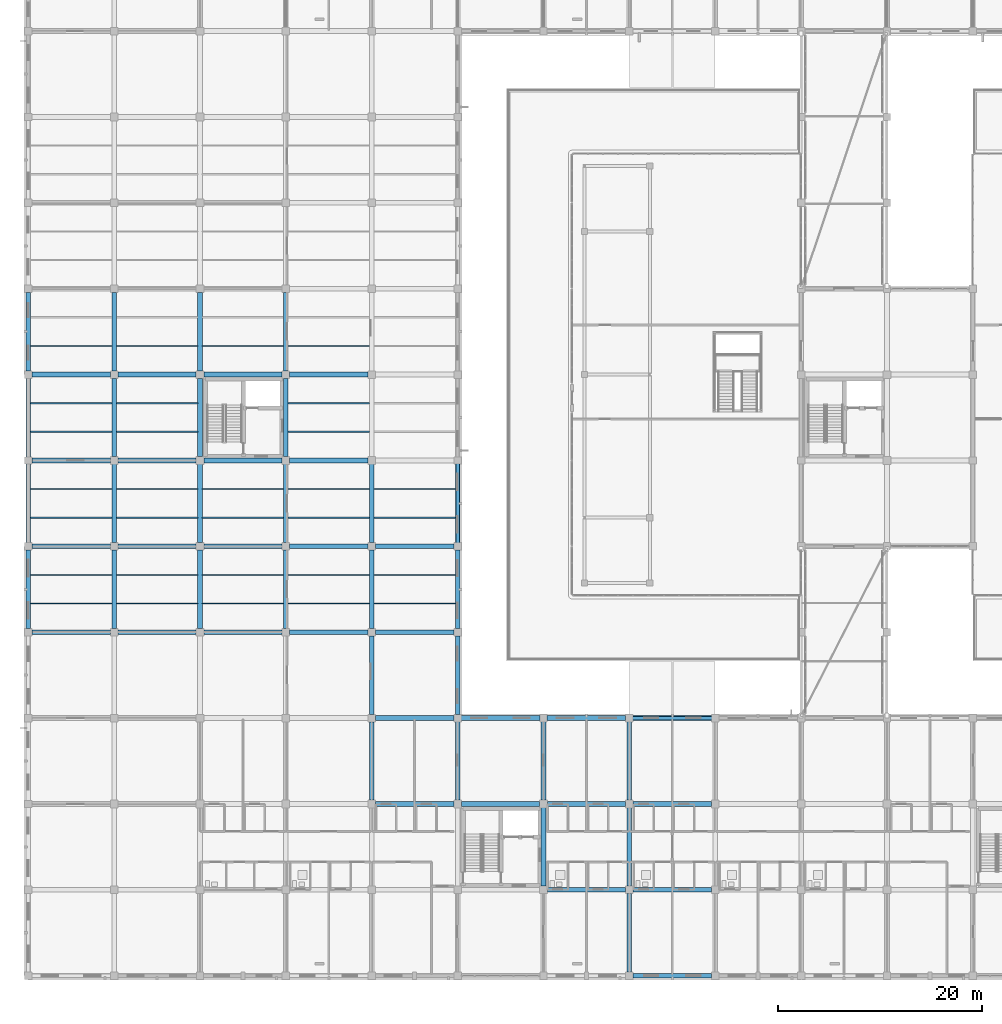
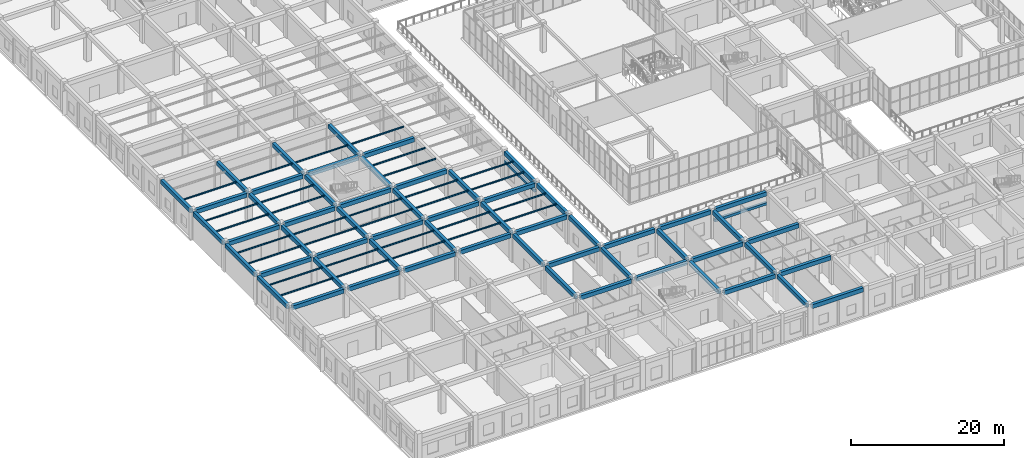
# One storey, part 20 of 158: 90 beams.
"""IFC4 building model written with IfcOpenShell, lengths in metres."""

from ifc_helpers import new_model, si_unit, direction, frame, origin, origin_2d, place, context, subcontext, project, spatial, rectangle, i_section, extrude, material, material_profile, profile_set, type_object, element, save


model = new_model("IFC4")

# Units and contexts
model_context = context("Model", 3, precision=1e-05, world=origin(), true_north=direction((0.0, 1.0)))
body_context = subcontext(model_context, "Body", "Model", "MODEL_VIEW")
ifc_project = project(units=[si_unit("LENGTHUNIT", "METRE"), si_unit("AREAUNIT", "SQUARE_METRE"), si_unit("VOLUMEUNIT", "CUBIC_METRE"), si_unit("PLANEANGLEUNIT", "RADIAN"), si_unit("MASSUNIT", "GRAM", prefix="KILO")], contexts=[model_context])

# Site, building, storey
site_placement = place(None, origin())
site = spatial("IfcSite", under=ifc_project, at=site_placement, CompositionType="ELEMENT")
building_placement = place(site_placement, origin())
building = spatial("IfcBuilding", under=site, at=building_placement, Name="Trelvath General Hospital", CompositionType="ELEMENT")
storey_placement = place(building_placement, frame((0.0, 0.0, 8.10009765625)))
storey = spatial("IfcBuildingStorey", under=building, at=storey_placement, Name="L02", CompositionType="ELEMENT", Elevation=8.10009765625)

# Beams
ifc_material_1 = material(Name="Concrete C35/45", Category="concrete")
ifc_material_profile_1 = material_profile(ifc_material_1, rectangle(XDim=0.449951171875, YDim=0.64990234375, at=origin_2d()), Name="RCB450x650")
ifc_profile_set_1 = profile_set([ifc_material_profile_1], Name="Concrete C35/45")
beam_type_1 = type_object("IfcBeamType", Name="Beam RC450x650", PredefinedType="BEAM", material=ifc_profile_set_1)
for number, where, z_axis, x_axis, name in (
    (1, (0.0, 33.955078125, 4.19482421875), (0.0, 1.0, 0.0), (-1.0, 0.0, 0.0), "Grid Beam BY-200E"),
    (2, (0.0, 42.35498046875, 4.19482421875), (0.0, 1.0, 0.0), (-1.0, 0.0, 0.0), "Grid Beam BY-200F"),
):
    element("IfcBeam", number, at=place(storey_placement, frame(where, z_axis=z_axis, x_axis=x_axis)), inside=storey, type_object=beam_type_1, Name=name, PredefinedType="BEAM", context=body_context, shape_type="SweptSolid", body=[
        extrude(rectangle(XDim=0.449951171875, YDim=0.64990234375, at=origin_2d()), origin(), (0.0, 0.0, 1.0), 7.68994140625),
    ])
beam_1_placement = place(storey_placement, frame((0.0, 50.7548828125, 4.19482421875), z_axis=(0.0, 1.0, 0.0), x_axis=(-1.0, 0.0, 0.0)))
element("IfcBeam", 3, at=beam_1_placement, inside=storey, type_object=beam_type_1, Name="Grid Beam BY-200G", PredefinedType="BEAM", context=body_context, shape_type="SweptSolid", body=[
    extrude(rectangle(XDim=0.449951171875, YDim=0.64990234375, at=origin_2d()), origin(), (0.0, 0.0, 1.0), 7.690185546875),
])
beam_2_placement = place(storey_placement, frame((0.0, 59.155029296875, 4.19482421875), z_axis=(0.0, 1.0, 0.0), x_axis=(-1.0, 0.0, 0.0)))
element("IfcBeam", 4, at=beam_2_placement, inside=storey, type_object=beam_type_1, Name="Grid Beam BY-200H", PredefinedType="BEAM", context=body_context, shape_type="SweptSolid", body=[
    extrude(rectangle(XDim=0.449951171875, YDim=0.64990234375, at=origin_2d()), origin(), (0.0, 0.0, 1.0), 7.68994140625),
])
for number, where, z_axis, x_axis, name in (
    (5, (8.39990234375, 33.969970703125, 4.19482421875), (0.0, 1.0, 0.0), (-1.0, 0.0, 0.0), "Grid Beam BY-201E"),
    (6, (8.39990234375, 42.3701171875, 4.19482421875), (0.0, 1.0, 0.0), (-1.0, 0.0, 0.0), "Grid Beam BY-201F"),
    (7, (8.39990234375, 50.77001953125, 4.19482421875), (0.0, 1.0, 0.0), (-1.0, 0.0, 0.0), "Grid Beam BY-201G"),
):
    element("IfcBeam", number, at=place(storey_placement, frame(where, z_axis=z_axis, x_axis=x_axis)), inside=storey, type_object=beam_type_1, Name=name, PredefinedType="BEAM", context=body_context, shape_type="SweptSolid", body=[
        extrude(rectangle(XDim=0.449951171875, YDim=0.64990234375, at=origin_2d()), origin(), (0.0, 0.0, 1.0), 7.659912109375),
    ])
beam_3_placement = place(storey_placement, frame((8.39990234375, 59.169921875, 4.19482421875), z_axis=(0.0, 1.0, 0.0), x_axis=(-1.0, 0.0, 0.0)))
element("IfcBeam", 8, at=beam_3_placement, inside=storey, type_object=beam_type_1, Name="Grid Beam BY-201H", PredefinedType="BEAM", context=body_context, shape_type="SweptSolid", body=[
    extrude(rectangle(XDim=0.449951171875, YDim=0.64990234375, at=origin_2d()), origin(), (0.0, 0.0, 1.0), 7.66015625),
])
for number, where, z_axis, x_axis, name in (
    (9, (16.800048828125, 33.969970703125, 4.19482421875), (0.0, 1.0, 0.0), (-1.0, 0.0, 0.0), "Grid Beam BY-202E"),
    (10, (16.800048828125, 42.3701171875, 4.19482421875), (0.0, 1.0, 0.0), (-1.0, 0.0, 0.0), "Grid Beam BY-202F"),
    (11, (16.800048828125, 50.77001953125, 4.19482421875), (0.0, 1.0, 0.0), (-1.0, 0.0, 0.0), "Grid Beam BY-202G"),
):
    element("IfcBeam", number, at=place(storey_placement, frame(where, z_axis=z_axis, x_axis=x_axis)), inside=storey, type_object=beam_type_1, Name=name, PredefinedType="BEAM", context=body_context, shape_type="SweptSolid", body=[
        extrude(rectangle(XDim=0.449951171875, YDim=0.64990234375, at=origin_2d()), origin(), (0.0, 0.0, 1.0), 7.659912109375),
    ])
beam_4_placement = place(storey_placement, frame((16.800048828125, 59.169921875, 4.19482421875), z_axis=(0.0, 1.0, 0.0), x_axis=(-1.0, 0.0, 0.0)))
element("IfcBeam", 12, at=beam_4_placement, inside=storey, type_object=beam_type_1, Name="Grid Beam BY-202H", PredefinedType="BEAM", context=body_context, shape_type="SweptSolid", body=[
    extrude(rectangle(XDim=0.449951171875, YDim=0.64990234375, at=origin_2d()), origin(), (0.0, 0.0, 1.0), 7.66015625),
])
for number, where, z_axis, x_axis, name in (
    (13, (25.199951171875, 33.969970703125, 4.19482421875), (0.0, 1.0, 0.0), (-1.0, 0.0, 0.0), "Grid Beam BY-203E"),
    (14, (25.199951171875, 42.3701171875, 4.19482421875), (0.0, 1.0, 0.0), (-1.0, 0.0, 0.0), "Grid Beam BY-203F"),
    (15, (25.199951171875, 50.77001953125, 4.19482421875), (0.0, 1.0, 0.0), (-1.0, 0.0, 0.0), "Grid Beam BY-203G"),
):
    element("IfcBeam", number, at=place(storey_placement, frame(where, z_axis=z_axis, x_axis=x_axis)), inside=storey, type_object=beam_type_1, Name=name, PredefinedType="BEAM", context=body_context, shape_type="SweptSolid", body=[
        extrude(rectangle(XDim=0.449951171875, YDim=0.64990234375, at=origin_2d()), origin(), (0.0, 0.0, 1.0), 7.659912109375),
    ])
for number, where, z_axis, x_axis, name in (
    (16, (25.199951171875, 59.169921875, 4.19482421875), (0.0, 1.0, 0.0), (-1.0, 0.0, 0.0), "Grid Beam BY-203H"),
    (17, (33.60009765625, 17.169921875, 4.19482421875), (0.0, 1.0, 0.0), (-1.0, 0.0, 0.0), "Grid Beam BY-204C"),
):
    element("IfcBeam", number, at=place(storey_placement, frame(where, z_axis=z_axis, x_axis=x_axis)), inside=storey, type_object=beam_type_1, Name=name, PredefinedType="BEAM", context=body_context, shape_type="SweptSolid", body=[
        extrude(rectangle(XDim=0.449951171875, YDim=0.64990234375, at=origin_2d()), origin(), (0.0, 0.0, 1.0), 7.66015625),
    ])
for number, where, z_axis, x_axis, name in (
    (18, (33.60009765625, 25.570068359375, 4.19482421875), (0.0, 1.0, 0.0), (-1.0, 0.0, 0.0), "Grid Beam BY-204D"),
    (19, (33.60009765625, 33.969970703125, 4.19482421875), (0.0, 1.0, 0.0), (-1.0, 0.0, 0.0), "Grid Beam BY-204E"),
    (20, (33.60009765625, 42.3701171875, 4.19482421875), (0.0, 1.0, 0.0), (-1.0, 0.0, 0.0), "Grid Beam BY-204F"),
):
    element("IfcBeam", number, at=place(storey_placement, frame(where, z_axis=z_axis, x_axis=x_axis)), inside=storey, type_object=beam_type_1, Name=name, PredefinedType="BEAM", context=body_context, shape_type="SweptSolid", body=[
        extrude(rectangle(XDim=0.449951171875, YDim=0.64990234375, at=origin_2d()), origin(), (0.0, 0.0, 1.0), 7.659912109375),
    ])
beam_5_placement = place(storey_placement, frame((42.0, 17.169921875, 4.19482421875), z_axis=(0.0, 1.0, 0.0), x_axis=(-1.0, 0.0, 0.0)))
element("IfcBeam", 21, at=beam_5_placement, inside=storey, type_object=beam_type_1, Name="Grid Beam BY-205C", PredefinedType="BEAM", context=body_context, shape_type="SweptSolid", body=[
    extrude(rectangle(XDim=0.449951171875, YDim=0.64990234375, at=origin_2d()), origin(), (0.0, 0.0, 1.0), 7.675048828125),
])
beam_6_placement = place(storey_placement, frame((42.0, 25.554931640625, 4.19482421875), z_axis=(0.0, 1.0, 0.0), x_axis=(-1.0, 0.0, 0.0)))
element("IfcBeam", 22, at=beam_6_placement, inside=storey, type_object=beam_type_1, Name="Grid Beam BY-205D", PredefinedType="BEAM", context=body_context, shape_type="SweptSolid", body=[
    extrude(rectangle(XDim=0.449951171875, YDim=0.64990234375, at=origin_2d()), origin(), (0.0, 0.0, 1.0), 7.690185546875),
])
for number, where, z_axis, x_axis, name in (
    (23, (42.0, 33.955078125, 4.19482421875), (0.0, 1.0, 0.0), (-1.0, 0.0, 0.0), "Grid Beam BY-205E"),
    (24, (42.0, 42.35498046875, 4.19482421875), (0.0, 1.0, 0.0), (-1.0, 0.0, 0.0), "Grid Beam BY-205F"),
):
    element("IfcBeam", number, at=place(storey_placement, frame(where, z_axis=z_axis, x_axis=x_axis)), inside=storey, type_object=beam_type_1, Name=name, PredefinedType="BEAM", context=body_context, shape_type="SweptSolid", body=[
        extrude(rectangle(XDim=0.449951171875, YDim=0.64990234375, at=origin_2d()), origin(), (0.0, 0.0, 1.0), 7.68994140625),
    ])
beam_7_placement = place(storey_placement, frame((50.39990234375, 8.77001953125, 4.19482421875), z_axis=(0.0, 1.0, 0.0), x_axis=(-1.0, 0.0, 0.0)))
element("IfcBeam", 25, at=beam_7_placement, inside=storey, type_object=beam_type_1, Name="Grid Beam BY-206B", PredefinedType="BEAM", context=body_context, shape_type="SweptSolid", body=[
    extrude(rectangle(XDim=0.449951171875, YDim=0.64990234375, at=origin_2d()), origin(), (0.0, 0.0, 1.0), 7.659912109375),
])
for number, where, z_axis, x_axis, name in (
    (26, (50.39990234375, 17.169921875, 4.19482421875), (0.0, 1.0, 0.0), (-1.0, 0.0, 0.0), "Grid Beam BY-206C"),
    (27, (58.800048828125, 0.35498046875, 4.19482421875), (0.0, 1.0, 0.0), (-1.0, 0.0, 0.0), "Grid Beam BY-207A"),
):
    element("IfcBeam", number, at=place(storey_placement, frame(where, z_axis=z_axis, x_axis=x_axis)), inside=storey, type_object=beam_type_1, Name=name, PredefinedType="BEAM", context=body_context, shape_type="SweptSolid", body=[
        extrude(rectangle(XDim=0.449951171875, YDim=0.64990234375, at=origin_2d()), origin(), (0.0, 0.0, 1.0), 7.675048828125),
    ])
beam_8_placement = place(storey_placement, frame((58.800048828125, 8.77001953125, 4.19482421875), z_axis=(0.0, 1.0, 0.0), x_axis=(-1.0, 0.0, 0.0)))
element("IfcBeam", 28, at=beam_8_placement, inside=storey, type_object=beam_type_1, Name="Grid Beam BY-207B", PredefinedType="BEAM", context=body_context, shape_type="SweptSolid", body=[
    extrude(rectangle(XDim=0.449951171875, YDim=0.64990234375, at=origin_2d()), origin(), (0.0, 0.0, 1.0), 7.659912109375),
])
beam_9_placement = place(storey_placement, frame((58.800048828125, 17.169921875, 4.19482421875), z_axis=(0.0, 1.0, 0.0), x_axis=(-1.0, 0.0, 0.0)))
element("IfcBeam", 29, at=beam_9_placement, inside=storey, type_object=beam_type_1, Name="Grid Beam BY-207C", PredefinedType="BEAM", context=body_context, shape_type="SweptSolid", body=[
    extrude(rectangle(XDim=0.449951171875, YDim=0.64990234375, at=origin_2d()), origin(), (0.0, 0.0, 1.0), 7.675048828125),
])
ifc_material_2 = material(Name="Concrete C35/45", Category="concrete")
ifc_material_profile_2 = material_profile(ifc_material_2, rectangle(XDim=0.4599609375, YDim=0.659912109375, at=origin_2d()), Name="RCB460x660")
ifc_profile_set_2 = profile_set([ifc_material_profile_2], Name="Concrete C35/45")
beam_type_2 = type_object("IfcBeamType", Name="Beam RC460x660", PredefinedType="BEAM", material=ifc_profile_set_2)
for number, where, z_axis, x_axis, name in (
    (30, (0.35498046875, 33.60009765625, 4.18994140625), (1.0, 0.0, 0.0), (0.0, 1.0, 0.0), "Grid Beam BX-200E"),
    (31, (0.35498046875, 42.0, 4.18994140625), (1.0, 0.0, 0.0), (0.0, 1.0, 0.0), "Grid Beam BX-200F"),
    (32, (0.35498046875, 50.39990234375, 4.18994140625), (1.0, 0.0, 0.0), (0.0, 1.0, 0.0), "Grid Beam BX-200G"),
    (33, (0.35498046875, 58.800048828125, 4.18994140625), (1.0, 0.0, 0.0), (0.0, 1.0, 0.0), "Grid Beam BX-200H"),
):
    element("IfcBeam", number, at=place(storey_placement, frame(where, z_axis=z_axis, x_axis=x_axis)), inside=storey, type_object=beam_type_2, Name=name, PredefinedType="BEAM", context=body_context, shape_type="SweptSolid", body=[
        extrude(rectangle(XDim=0.4599609375, YDim=0.659912109375, at=origin_2d()), origin(), (0.0, 0.0, 1.0), 7.675048828125),
    ])
for number, where, z_axis, x_axis, name in (
    (34, (8.77001953125, 33.60009765625, 4.18994140625), (1.0, 0.0, 0.0), (0.0, 1.0, 0.0), "Grid Beam BX-201E"),
    (35, (8.77001953125, 42.0, 4.18994140625), (1.0, 0.0, 0.0), (0.0, 1.0, 0.0), "Grid Beam BX-201F"),
    (36, (8.77001953125, 50.39990234375, 4.18994140625), (1.0, 0.0, 0.0), (0.0, 1.0, 0.0), "Grid Beam BX-201G"),
    (37, (8.77001953125, 58.800048828125, 4.18994140625), (1.0, 0.0, 0.0), (0.0, 1.0, 0.0), "Grid Beam BX-201H"),
):
    element("IfcBeam", number, at=place(storey_placement, frame(where, z_axis=z_axis, x_axis=x_axis)), inside=storey, type_object=beam_type_2, Name=name, PredefinedType="BEAM", context=body_context, shape_type="SweptSolid", body=[
        extrude(rectangle(XDim=0.4599609375, YDim=0.659912109375, at=origin_2d()), origin(), (0.0, 0.0, 1.0), 7.659912109375),
    ])
for number, where, z_axis, x_axis, name in (
    (38, (17.169921875, 33.60009765625, 4.18994140625), (1.0, 0.0, 0.0), (0.0, 1.0, 0.0), "Grid Beam BX-202E"),
    (39, (17.169921875, 42.0, 4.18994140625), (1.0, 0.0, 0.0), (0.0, 1.0, 0.0), "Grid Beam BX-202F"),
    (40, (17.169921875, 50.39990234375, 4.18994140625), (1.0, 0.0, 0.0), (0.0, 1.0, 0.0), "Grid Beam BX-202G"),
    (41, (17.169921875, 58.800048828125, 4.18994140625), (1.0, 0.0, 0.0), (0.0, 1.0, 0.0), "Grid Beam BX-202H"),
):
    element("IfcBeam", number, at=place(storey_placement, frame(where, z_axis=z_axis, x_axis=x_axis)), inside=storey, type_object=beam_type_2, Name=name, PredefinedType="BEAM", context=body_context, shape_type="SweptSolid", body=[
        extrude(rectangle(XDim=0.4599609375, YDim=0.659912109375, at=origin_2d()), origin(), (0.0, 0.0, 1.0), 7.66015625),
    ])
for number, where, z_axis, x_axis, name in (
    (42, (25.570068359375, 33.60009765625, 4.18994140625), (1.0, 0.0, 0.0), (0.0, 1.0, 0.0), "Grid Beam BX-203E"),
    (43, (25.570068359375, 42.0, 4.18994140625), (1.0, 0.0, 0.0), (0.0, 1.0, 0.0), "Grid Beam BX-203F"),
    (44, (25.570068359375, 50.39990234375, 4.18994140625), (1.0, 0.0, 0.0), (0.0, 1.0, 0.0), "Grid Beam BX-203G"),
    (45, (25.570068359375, 58.800048828125, 4.18994140625), (1.0, 0.0, 0.0), (0.0, 1.0, 0.0), "Grid Beam BX-203H"),
    (46, (33.969970703125, 16.800048828125, 4.18994140625), (1.0, 0.0, 0.0), (0.0, 1.0, 0.0), "Grid Beam BX-204C"),
):
    element("IfcBeam", number, at=place(storey_placement, frame(where, z_axis=z_axis, x_axis=x_axis)), inside=storey, type_object=beam_type_2, Name=name, PredefinedType="BEAM", context=body_context, shape_type="SweptSolid", body=[
        extrude(rectangle(XDim=0.4599609375, YDim=0.659912109375, at=origin_2d()), origin(), (0.0, 0.0, 1.0), 7.659912109375),
    ])
for number, where, z_axis, x_axis, name in (
    (47, (33.969970703125, 25.199951171875, 4.18994140625), (1.0, 0.0, 0.0), (0.0, 1.0, 0.0), "Grid Beam BX-204D"),
    (48, (33.969970703125, 33.60009765625, 4.18994140625), (1.0, 0.0, 0.0), (0.0, 1.0, 0.0), "Grid Beam BX-204E"),
    (49, (33.969970703125, 42.0, 4.18994140625), (1.0, 0.0, 0.0), (0.0, 1.0, 0.0), "Grid Beam BX-204F"),
):
    element("IfcBeam", number, at=place(storey_placement, frame(where, z_axis=z_axis, x_axis=x_axis)), inside=storey, type_object=beam_type_2, Name=name, PredefinedType="BEAM", context=body_context, shape_type="SweptSolid", body=[
        extrude(rectangle(XDim=0.4599609375, YDim=0.659912109375, at=origin_2d()), origin(), (0.0, 0.0, 1.0), 7.675048828125),
    ])
beam_10_placement = place(storey_placement, frame((42.3701171875, 16.800048828125, 4.18994140625), z_axis=(1.0, 0.0, 0.0), x_axis=(0.0, 1.0, 0.0)))
element("IfcBeam", 50, at=beam_10_placement, inside=storey, type_object=beam_type_2, Name="Grid Beam BX-205C", PredefinedType="BEAM", context=body_context, shape_type="SweptSolid", body=[
    extrude(rectangle(XDim=0.4599609375, YDim=0.659912109375, at=origin_2d()), origin(), (0.0, 0.0, 1.0), 7.659912109375),
])
beam_11_placement = place(storey_placement, frame((42.35498046875, 25.199951171875, 4.18994140625), z_axis=(1.0, 0.0, 0.0), x_axis=(0.0, 1.0, 0.0)))
element("IfcBeam", 51, at=beam_11_placement, inside=storey, type_object=beam_type_2, Name="Grid Beam BX-205D", PredefinedType="BEAM", context=body_context, shape_type="SweptSolid", body=[
    extrude(rectangle(XDim=0.4599609375, YDim=0.659912109375, at=origin_2d()), origin(), (0.0, 0.0, 1.0), 7.68994140625),
])
for number, where, z_axis, x_axis, name in (
    (52, (50.77001953125, 8.39990234375, 4.18994140625), (1.0, 0.0, 0.0), (0.0, 1.0, 0.0), "Grid Beam BX-206B"),
    (53, (50.77001953125, 16.800048828125, 4.18994140625), (1.0, 0.0, 0.0), (0.0, 1.0, 0.0), "Grid Beam BX-206C"),
):
    element("IfcBeam", number, at=place(storey_placement, frame(where, z_axis=z_axis, x_axis=x_axis)), inside=storey, type_object=beam_type_2, Name=name, PredefinedType="BEAM", context=body_context, shape_type="SweptSolid", body=[
        extrude(rectangle(XDim=0.4599609375, YDim=0.659912109375, at=origin_2d()), origin(), (0.0, 0.0, 1.0), 7.659912109375),
    ])
beam_12_placement = place(storey_placement, frame((50.7548828125, 25.199951171875, 4.18994140625), z_axis=(1.0, 0.0, 0.0), x_axis=(0.0, 1.0, 0.0)))
element("IfcBeam", 54, at=beam_12_placement, inside=storey, type_object=beam_type_2, Name="Grid Beam BX-206D", PredefinedType="BEAM", context=body_context, shape_type="SweptSolid", body=[
    extrude(rectangle(XDim=0.4599609375, YDim=0.659912109375, at=origin_2d()), origin(), (0.0, 0.0, 1.0), 7.690185546875),
])
beam_13_placement = place(storey_placement, frame((59.155029296875, 0.0, 4.18994140625), z_axis=(1.0, 0.0, 0.0), x_axis=(0.0, 1.0, 0.0)))
element("IfcBeam", 55, at=beam_13_placement, inside=storey, type_object=beam_type_2, Name="Grid Beam BX-207A", PredefinedType="BEAM", context=body_context, shape_type="SweptSolid", body=[
    extrude(rectangle(XDim=0.4599609375, YDim=0.659912109375, at=origin_2d()), origin(), (0.0, 0.0, 1.0), 7.68994140625),
])
for number, where, z_axis, x_axis, name in (
    (56, (59.169921875, 8.39990234375, 4.18994140625), (1.0, 0.0, 0.0), (0.0, 1.0, 0.0), "Grid Beam BX-207B"),
    (57, (59.169921875, 16.800048828125, 4.18994140625), (1.0, 0.0, 0.0), (0.0, 1.0, 0.0), "Grid Beam BX-207C"),
):
    element("IfcBeam", number, at=place(storey_placement, frame(where, z_axis=z_axis, x_axis=x_axis)), inside=storey, type_object=beam_type_2, Name=name, PredefinedType="BEAM", context=body_context, shape_type="SweptSolid", body=[
        extrude(rectangle(XDim=0.4599609375, YDim=0.659912109375, at=origin_2d()), origin(), (0.0, 0.0, 1.0), 7.66015625),
    ])
beam_14_placement = place(storey_placement, frame((59.155029296875, 25.199951171875, 4.18994140625), z_axis=(1.0, 0.0, 0.0), x_axis=(0.0, 1.0, 0.0)))
element("IfcBeam", 58, at=beam_14_placement, inside=storey, type_object=beam_type_2, Name="Grid Beam BX-207D", PredefinedType="BEAM", context=body_context, shape_type="SweptSolid", body=[
    extrude(rectangle(XDim=0.4599609375, YDim=0.659912109375, at=origin_2d()), origin(), (0.0, 0.0, 1.0), 7.68994140625),
])
ifc_material_3 = material(Name="Steel S355", Category="steel")
ifc_material_profile_3 = material_profile(ifc_material_3, i_section(OverallWidth=0.1201171875, OverallDepth=0.239990234375, WebThickness=0.006103515625, FlangeThickness=0.009765625, at=origin_2d()), Name="IPE240")
ifc_profile_set_3 = profile_set([ifc_material_profile_3], Name="Steel S355")
beam_type_3 = type_object("IfcBeamType", Name="InterstitialJoist IPE240", PredefinedType="JOIST", material=ifc_profile_set_3)
for number, where, z_axis, x_axis, name in (
    (59, (0.215087890625, 36.39990234375, 4.39990234375), (1.0, 0.0, 0.0), (0.0, 1.0, 0.0), "Interstitial Deck Joist IJ-3-163"),
    (60, (0.215087890625, 39.199951171875, 4.39990234375), (1.0, 0.0, 0.0), (0.0, 1.0, 0.0), "Interstitial Deck Joist IJ-3-164"),
    (61, (0.215087890625, 44.800048828125, 4.39990234375), (1.0, 0.0, 0.0), (0.0, 1.0, 0.0), "Interstitial Deck Joist IJ-3-165"),
    (62, (0.215087890625, 47.60009765625, 4.39990234375), (1.0, 0.0, 0.0), (0.0, 1.0, 0.0), "Interstitial Deck Joist IJ-3-166"),
    (63, (0.215087890625, 53.199951171875, 4.39990234375), (1.0, 0.0, 0.0), (0.0, 1.0, 0.0), "Interstitial Deck Joist IJ-3-167"),
    (64, (0.215087890625, 56.0, 4.39990234375), (1.0, 0.0, 0.0), (0.0, 1.0, 0.0), "Interstitial Deck Joist IJ-3-168"),
    (65, (0.215087890625, 61.60009765625, 4.39990234375), (1.0, 0.0, 0.0), (0.0, 1.0, 0.0), "Interstitial Deck Joist IJ-3-169"),
    (66, (8.614990234375, 36.39990234375, 4.39990234375), (1.0, 0.0, 0.0), (0.0, 1.0, 0.0), "Interstitial Deck Joist IJ-3-175"),
    (67, (8.614990234375, 39.199951171875, 4.39990234375), (1.0, 0.0, 0.0), (0.0, 1.0, 0.0), "Interstitial Deck Joist IJ-3-176"),
    (68, (8.614990234375, 44.800048828125, 4.39990234375), (1.0, 0.0, 0.0), (0.0, 1.0, 0.0), "Interstitial Deck Joist IJ-3-177"),
    (69, (8.614990234375, 47.60009765625, 4.39990234375), (1.0, 0.0, 0.0), (0.0, 1.0, 0.0), "Interstitial Deck Joist IJ-3-178"),
    (70, (8.614990234375, 53.199951171875, 4.39990234375), (1.0, 0.0, 0.0), (0.0, 1.0, 0.0), "Interstitial Deck Joist IJ-3-179"),
    (71, (8.614990234375, 56.0, 4.39990234375), (1.0, 0.0, 0.0), (0.0, 1.0, 0.0), "Interstitial Deck Joist IJ-3-180"),
    (72, (8.614990234375, 61.60009765625, 4.39990234375), (1.0, 0.0, 0.0), (0.0, 1.0, 0.0), "Interstitial Deck Joist IJ-3-181"),
):
    element("IfcBeam", number, at=place(storey_placement, frame(where, z_axis=z_axis, x_axis=x_axis)), inside=storey, type_object=beam_type_3, Name=name, PredefinedType="JOIST", context=body_context, shape_type="SweptSolid", body=[
        extrude(i_section(OverallWidth=0.1201171875, OverallDepth=0.239990234375, WebThickness=0.006103515625, FlangeThickness=0.009765625, at=origin_2d()), origin(), (0.0, 0.0, 1.0), 7.969970703125),
    ])
for number, where, z_axis, x_axis, name in (
    (73, (17.014892578125, 36.39990234375, 4.39990234375), (1.0, 0.0, 0.0), (0.0, 1.0, 0.0), "Interstitial Deck Joist IJ-3-187"),
    (74, (17.014892578125, 39.199951171875, 4.39990234375), (1.0, 0.0, 0.0), (0.0, 1.0, 0.0), "Interstitial Deck Joist IJ-3-188"),
    (75, (17.014892578125, 44.800048828125, 4.39990234375), (1.0, 0.0, 0.0), (0.0, 1.0, 0.0), "Interstitial Deck Joist IJ-3-189"),
    (76, (17.014892578125, 47.60009765625, 4.39990234375), (1.0, 0.0, 0.0), (0.0, 1.0, 0.0), "Interstitial Deck Joist IJ-3-190"),
    (77, (17.014892578125, 61.60009765625, 4.39990234375), (1.0, 0.0, 0.0), (0.0, 1.0, 0.0), "Interstitial Deck Joist IJ-3-191"),
):
    element("IfcBeam", number, at=place(storey_placement, frame(where, z_axis=z_axis, x_axis=x_axis)), inside=storey, type_object=beam_type_3, Name=name, PredefinedType="JOIST", context=body_context, shape_type="SweptSolid", body=[
        extrude(i_section(OverallWidth=0.1201171875, OverallDepth=0.239990234375, WebThickness=0.006103515625, FlangeThickness=0.009765625, at=origin_2d()), origin(), (0.0, 0.0, 1.0), 7.97021484375),
    ])
for number, where, z_axis, x_axis, name in (
    (78, (25.4150390625, 36.39990234375, 4.39990234375), (1.0, 0.0, 0.0), (0.0, 1.0, 0.0), "Interstitial Deck Joist IJ-3-197"),
    (79, (25.4150390625, 39.199951171875, 4.39990234375), (1.0, 0.0, 0.0), (0.0, 1.0, 0.0), "Interstitial Deck Joist IJ-3-198"),
    (80, (25.4150390625, 44.800048828125, 4.39990234375), (1.0, 0.0, 0.0), (0.0, 1.0, 0.0), "Interstitial Deck Joist IJ-3-199"),
    (81, (25.4150390625, 47.60009765625, 4.39990234375), (1.0, 0.0, 0.0), (0.0, 1.0, 0.0), "Interstitial Deck Joist IJ-3-200"),
    (82, (25.4150390625, 53.199951171875, 4.39990234375), (1.0, 0.0, 0.0), (0.0, 1.0, 0.0), "Interstitial Deck Joist IJ-3-201"),
    (83, (25.4150390625, 56.0, 4.39990234375), (1.0, 0.0, 0.0), (0.0, 1.0, 0.0), "Interstitial Deck Joist IJ-3-202"),
    (84, (25.4150390625, 61.60009765625, 4.39990234375), (1.0, 0.0, 0.0), (0.0, 1.0, 0.0), "Interstitial Deck Joist IJ-3-203"),
    (85, (33.81494140625, 36.39990234375, 4.39990234375), (1.0, 0.0, 0.0), (0.0, 1.0, 0.0), "Interstitial Deck Joist IJ-3-209"),
    (86, (33.81494140625, 39.199951171875, 4.39990234375), (1.0, 0.0, 0.0), (0.0, 1.0, 0.0), "Interstitial Deck Joist IJ-3-210"),
    (87, (33.81494140625, 44.800048828125, 4.39990234375), (1.0, 0.0, 0.0), (0.0, 1.0, 0.0), "Interstitial Deck Joist IJ-3-211"),
    (88, (33.81494140625, 47.60009765625, 4.39990234375), (1.0, 0.0, 0.0), (0.0, 1.0, 0.0), "Interstitial Deck Joist IJ-3-212"),
):
    element("IfcBeam", number, at=place(storey_placement, frame(where, z_axis=z_axis, x_axis=x_axis)), inside=storey, type_object=beam_type_3, Name=name, PredefinedType="JOIST", context=body_context, shape_type="SweptSolid", body=[
        extrude(i_section(OverallWidth=0.1201171875, OverallDepth=0.239990234375, WebThickness=0.006103515625, FlangeThickness=0.009765625, at=origin_2d()), origin(), (0.0, 0.0, 1.0), 7.969970703125),
    ])
ifc_material_4 = material(Name="Precast concrete C40/50", Category="concrete")
ifc_material_profile_4 = material_profile(ifc_material_4, rectangle(XDim=0.35009765625, YDim=0.419921875, at=origin_2d()), Name="PCL350x420")
ifc_profile_set_4 = profile_set([ifc_material_profile_4], Name="Precast concrete C40/50")
beam_type_4 = type_object("IfcBeamType", Name="Lintel PC350x420", PredefinedType="LINTEL", material=ifc_profile_set_4)
for number, where, z_axis, x_axis, name in (
    (89, (42.0, 50.125, 2.869873046875), (0.0, -1.0, 0.0), (1.0, 0.0, 0.0), "Precast Window Brow Lintel L02-245"),
    (90, (59.074951171875, 25.199951171875, 2.56982421875), (1.0, 0.0, 0.0), (0.0, 1.0, 0.0), "Precast Window Brow Lintel L02-259"),
):
    element("IfcBeam", number, at=place(storey_placement, frame(where, z_axis=z_axis, x_axis=x_axis)), inside=storey, type_object=beam_type_4, Name=name, PredefinedType="LINTEL", context=body_context, shape_type="SweptSolid", body=[
        extrude(rectangle(XDim=0.35009765625, YDim=0.419921875, at=origin_2d()), origin(), (0.0, 0.0, 1.0), 7.85009765625),
    ])

save(model, "model.ifc")
